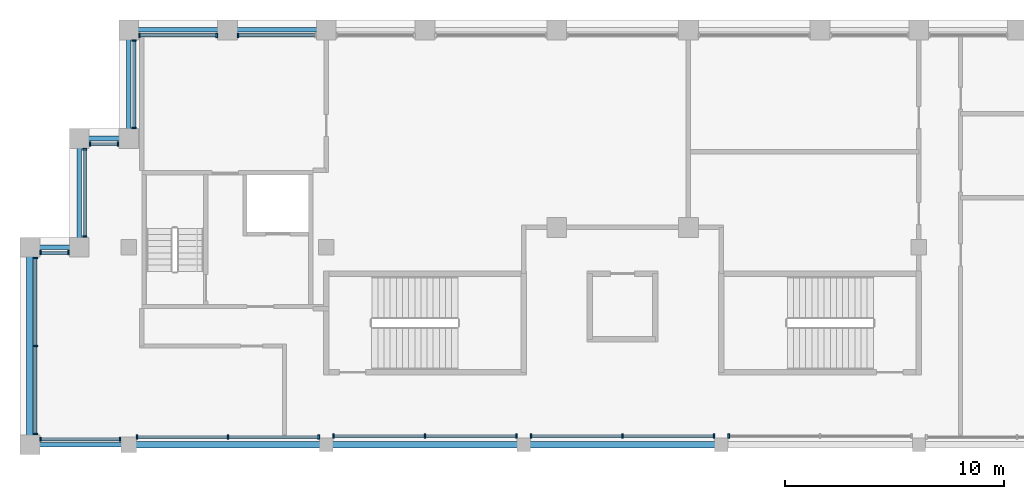
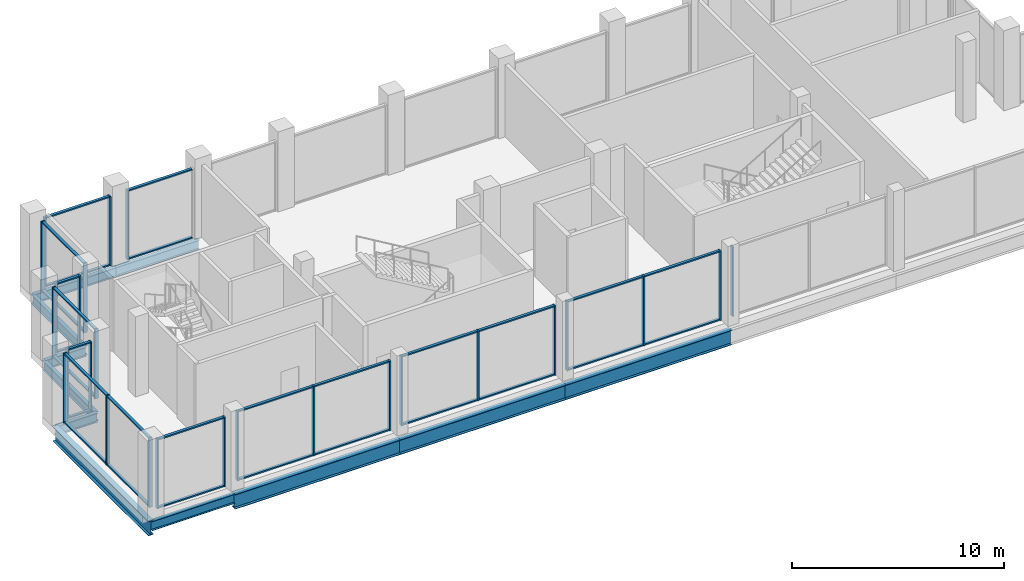
# One storey, part 2 of 8: 56 members, 11 beams, 12 elements without a shape of their own.
"""IFC4 building model written with IfcOpenShell, lengths in metres."""

from ifc_helpers import new_model, si_unit, direction, frame, origin, origin_2d, place, context, subcontext, project, spatial, rectangle, i_section, extrude, material, layer, layer_set, material_profile, profile_set, type_object, element, aggregate, save


model = new_model("IFC4")

# Units and contexts
model_context = context("Model", 3, precision=1e-05, world=origin(), true_north=direction((0.0, 1.0)))
body_context = subcontext(model_context, "Body", "Model", "MODEL_VIEW")
ifc_project = project(units=[si_unit("LENGTHUNIT", "METRE"), si_unit("AREAUNIT", "SQUARE_METRE"), si_unit("VOLUMEUNIT", "CUBIC_METRE"), si_unit("PLANEANGLEUNIT", "RADIAN"), si_unit("MASSUNIT", "GRAM", prefix="KILO")], contexts=[model_context])

# Site, building, storey
site_placement = place(None, origin())
site = spatial("IfcSite", under=ifc_project, at=site_placement, CompositionType="ELEMENT")
building_placement = place(site_placement, origin())
building = spatial("IfcBuilding", under=site, at=building_placement, Name="Corbelhall Arena Tower", CompositionType="ELEMENT")
storey_placement = place(building_placement, frame((0.0, 0.0, 381.0)))
storey = spatial("IfcBuildingStorey", under=building, at=storey_placement, Name="L82", CompositionType="ELEMENT", Elevation=381.0)

# Curtain wall, members
ifc_material_1 = material(Name="Aluminium black anodised", Category="aluminium")
ifc_layer = layer(ifc_material_1, 0.179931640625)
ifc_layer_set = layer_set([ifc_layer], Name="EV-CW3 Crown glazing")
curtain_wall_type = type_object("IfcCurtainWallType", Name="EV-CW3 Crown glazing", PredefinedType="NOTDEFINED", material=ifc_layer_set)
curtain_wall_1_placement = place(storey_placement, origin())
curtain_wall_1 = element("IfcCurtainWall", 1, at=curtain_wall_1_placement, inside=storey, type_object=curtain_wall_type, Name="Curtain wall CW3", PredefinedType="NOTDEFINED")
ifc_material_profile_1 = material_profile(ifc_material_1, rectangle(XDim=0.199951171875, YDim=0.074951171875, at=origin_2d()))
ifc_profile_set_1 = profile_set([ifc_material_profile_1], Name="Aluminium black anodised")
member_type_1 = type_object("IfcMemberType", Name="EV-CW3-MULLION", PredefinedType="MULLION", material=ifc_profile_set_1)
member_1_placement = place(storey_placement, frame((-24.5, 22.46240234375, 0.0), z_axis=(0.0, 0.0, 1.0), x_axis=(1.0, 0.0, 0.0)))
member_1 = element("IfcMember", 2, at=member_1_placement, type_object=member_type_1, Name="CW3 mullion 1", PredefinedType="MULLION", context=body_context, shape_type="SweptSolid", body=[
    extrude(rectangle(XDim=0.199951171875, YDim=0.074951171875, at=origin_2d()), origin(), (0.0, 0.0, 1.0), 3.99951171875),
])
member_2_placement = place(storey_placement, frame((-24.5, 18.487548828125, 0.0), z_axis=(0.0, 0.0, 1.0), x_axis=(1.0, 0.0, 0.0)))
member_2 = element("IfcMember", 3, at=member_2_placement, type_object=member_type_1, Name="CW3 mullion 2", PredefinedType="MULLION", context=body_context, shape_type="SweptSolid", body=[
    extrude(rectangle(XDim=0.199951171875, YDim=0.074951171875, at=origin_2d()), origin(), (0.0, 0.0, 1.0), 3.99951171875),
])

curtain_wall_2_placement = place(storey_placement, origin())
curtain_wall_2 = element("IfcCurtainWall", 4, at=curtain_wall_2_placement, inside=storey, type_object=curtain_wall_type, Name="Curtain wall CW3B", PredefinedType="NOTDEFINED")
member_3_placement = place(storey_placement, frame((-25.237548828125, 17.75, 0.0), z_axis=(0.0, 0.0, 1.0), x_axis=(0.0, -1.0, 0.0)))
member_3 = element("IfcMember", 5, at=member_3_placement, type_object=member_type_1, Name="CW3B mullion 1", PredefinedType="MULLION", context=body_context, shape_type="SweptSolid", body=[
    extrude(rectangle(XDim=0.199951171875, YDim=0.074951171875, at=origin_2d()), origin(), (0.0, 0.0, 1.0), 3.99951171875),
])
member_4_placement = place(storey_placement, frame((-26.512451171875, 17.75, 0.0), z_axis=(0.0, 0.0, 1.0), x_axis=(0.0, -1.0, 0.0)))
member_4 = element("IfcMember", 6, at=member_4_placement, type_object=member_type_1, Name="CW3B mullion 2", PredefinedType="MULLION", context=body_context, shape_type="SweptSolid", body=[
    extrude(rectangle(XDim=0.199951171875, YDim=0.074951171875, at=origin_2d()), origin(), (0.0, 0.0, 1.0), 3.99951171875),
])

curtain_wall_3_placement = place(storey_placement, origin())
curtain_wall_3 = element("IfcCurtainWall", 7, at=curtain_wall_3_placement, inside=storey, type_object=curtain_wall_type, Name="Curtain wall CW3", PredefinedType="NOTDEFINED")
member_5_placement = place(storey_placement, frame((-26.75, 17.512451171875, 0.0), z_axis=(0.0, 0.0, 1.0), x_axis=(1.0, 0.0, 0.0)))
member_5 = element("IfcMember", 8, at=member_5_placement, type_object=member_type_1, Name="CW3 mullion 1", PredefinedType="MULLION", context=body_context, shape_type="SweptSolid", body=[
    extrude(rectangle(XDim=0.199951171875, YDim=0.074951171875, at=origin_2d()), origin(), (0.0, 0.0, 1.0), 3.99951171875),
])
member_6_placement = place(storey_placement, frame((-26.75, 13.5, 0.0), z_axis=(0.0, 0.0, 1.0), x_axis=(1.0, 0.0, 0.0)))
member_6 = element("IfcMember", 9, at=member_6_placement, type_object=member_type_1, Name="CW3 mullion 2", PredefinedType="MULLION", context=body_context, shape_type="SweptSolid", body=[
    extrude(rectangle(XDim=0.199951171875, YDim=0.074951171875, at=origin_2d()), origin(), (0.0, 0.0, 1.0), 3.99951171875),
])
member_7_placement = place(storey_placement, frame((-26.75, 9.487548828125, 0.0), z_axis=(0.0, 0.0, 1.0), x_axis=(1.0, 0.0, 0.0)))
member_7 = element("IfcMember", 10, at=member_7_placement, type_object=member_type_1, Name="CW3 mullion 3", PredefinedType="MULLION", context=body_context, shape_type="SweptSolid", body=[
    extrude(rectangle(XDim=0.199951171875, YDim=0.074951171875, at=origin_2d()), origin(), (0.0, 0.0, 1.0), 3.99951171875),
])

curtain_wall_4_placement = place(storey_placement, origin())
curtain_wall_4 = element("IfcCurtainWall", 11, at=curtain_wall_4_placement, inside=storey, type_object=curtain_wall_type, Name="Curtain wall CW3E", PredefinedType="NOTDEFINED")
member_8_placement = place(storey_placement, frame((-26.512451171875, 9.25, 0.0), z_axis=(0.0, 0.0, 1.0), x_axis=(0.0, 1.0, 0.0)))
member_8 = element("IfcMember", 12, at=member_8_placement, type_object=member_type_1, Name="CW3E mullion 1", PredefinedType="MULLION", context=body_context, shape_type="SweptSolid", body=[
    extrude(rectangle(XDim=0.199951171875, YDim=0.074951171875, at=origin_2d()), origin(), (0.0, 0.0, 1.0), 3.99951171875),
])
member_9_placement = place(storey_placement, frame((-22.887451171875, 9.25, 0.0), z_axis=(0.0, 0.0, 1.0), x_axis=(0.0, 1.0, 0.0)))
member_9 = element("IfcMember", 13, at=member_9_placement, type_object=member_type_1, Name="CW3E mullion 2", PredefinedType="MULLION", context=body_context, shape_type="SweptSolid", body=[
    extrude(rectangle(XDim=0.199951171875, YDim=0.074951171875, at=origin_2d()), origin(), (0.0, 0.0, 1.0), 3.99951171875),
])

curtain_wall_5_placement = place(storey_placement, origin())
curtain_wall_5 = element("IfcCurtainWall", 14, at=curtain_wall_5_placement, inside=storey, type_object=curtain_wall_type, Name="Curtain wall CW3F", PredefinedType="NOTDEFINED")
member_10_placement = place(storey_placement, frame((-22.112548828125, 9.35009765625, 0.0), z_axis=(0.0, 0.0, 1.0), x_axis=(0.0, 1.0, 0.0)))
member_10 = element("IfcMember", 15, at=member_10_placement, type_object=member_type_1, Name="CW3F mullion 1", PredefinedType="MULLION", context=body_context, shape_type="SweptSolid", body=[
    extrude(rectangle(XDim=0.199951171875, YDim=0.074951171875, at=origin_2d()), origin(), (0.0, 0.0, 1.0), 3.99951171875),
])
member_11_placement = place(storey_placement, frame((-17.97509765625, 9.35009765625, 0.0), z_axis=(0.0, 0.0, 1.0), x_axis=(0.0, 1.0, 0.0)))
member_11 = element("IfcMember", 16, at=member_11_placement, type_object=member_type_1, Name="CW3F mullion 2", PredefinedType="MULLION", context=body_context, shape_type="SweptSolid", body=[
    extrude(rectangle(XDim=0.199951171875, YDim=0.074951171875, at=origin_2d()), origin(), (0.0, 0.0, 1.0), 3.99951171875),
])
member_12_placement = place(storey_placement, frame((-13.83740234375, 9.35009765625, 0.0), z_axis=(0.0, 0.0, 1.0), x_axis=(0.0, 1.0, 0.0)))
member_12 = element("IfcMember", 17, at=member_12_placement, type_object=member_type_1, Name="CW3F mullion 3", PredefinedType="MULLION", context=body_context, shape_type="SweptSolid", body=[
    extrude(rectangle(XDim=0.199951171875, YDim=0.074951171875, at=origin_2d()), origin(), (0.0, 0.0, 1.0), 3.99951171875),
])

curtain_wall_6_placement = place(storey_placement, origin())
curtain_wall_6 = element("IfcCurtainWall", 18, at=curtain_wall_6_placement, inside=storey, type_object=curtain_wall_type, Name="Curtain wall CW3D", PredefinedType="NOTDEFINED")
member_13_placement = place(storey_placement, frame((-13.16259765625, 9.39990234375, 0.0), z_axis=(0.0, 0.0, 1.0), x_axis=(0.0, 1.0, 0.0)))
member_13 = element("IfcMember", 19, at=member_13_placement, type_object=member_type_1, Name="CW3D mullion 1", PredefinedType="MULLION", context=body_context, shape_type="SweptSolid", body=[
    extrude(rectangle(XDim=0.199951171875, YDim=0.074951171875, at=origin_2d()), origin(), (0.0, 0.0, 1.0), 3.99951171875),
])
member_14_placement = place(storey_placement, frame((-9.0, 9.39990234375, 0.0), z_axis=(0.0, 0.0, 1.0), x_axis=(0.0, 1.0, 0.0)))
member_14 = element("IfcMember", 20, at=member_14_placement, type_object=member_type_1, Name="CW3D mullion 2", PredefinedType="MULLION", context=body_context, shape_type="SweptSolid", body=[
    extrude(rectangle(XDim=0.199951171875, YDim=0.074951171875, at=origin_2d()), origin(), (0.0, 0.0, 1.0), 3.99951171875),
])
member_15_placement = place(storey_placement, frame((-4.83740234375, 9.39990234375, 0.0), z_axis=(0.0, 0.0, 1.0), x_axis=(0.0, 1.0, 0.0)))
member_15 = element("IfcMember", 21, at=member_15_placement, type_object=member_type_1, Name="CW3D mullion 3", PredefinedType="MULLION", context=body_context, shape_type="SweptSolid", body=[
    extrude(rectangle(XDim=0.199951171875, YDim=0.074951171875, at=origin_2d()), origin(), (0.0, 0.0, 1.0), 3.99951171875),
])

curtain_wall_7_placement = place(storey_placement, origin())
curtain_wall_7 = element("IfcCurtainWall", 22, at=curtain_wall_7_placement, inside=storey, type_object=curtain_wall_type, Name="Curtain wall CW3D", PredefinedType="NOTDEFINED")
member_16_placement = place(storey_placement, frame((-4.16259765625, 9.39990234375, 0.0), z_axis=(0.0, 0.0, 1.0), x_axis=(0.0, 1.0, 0.0)))
member_16 = element("IfcMember", 23, at=member_16_placement, type_object=member_type_1, Name="CW3D mullion 1", PredefinedType="MULLION", context=body_context, shape_type="SweptSolid", body=[
    extrude(rectangle(XDim=0.199951171875, YDim=0.074951171875, at=origin_2d()), origin(), (0.0, 0.0, 1.0), 3.99951171875),
])
member_17_placement = place(storey_placement, frame((0.0, 9.39990234375, 0.0), z_axis=(0.0, 0.0, 1.0), x_axis=(0.0, 1.0, 0.0)))
member_17 = element("IfcMember", 24, at=member_17_placement, type_object=member_type_1, Name="CW3D mullion 2", PredefinedType="MULLION", context=body_context, shape_type="SweptSolid", body=[
    extrude(rectangle(XDim=0.199951171875, YDim=0.074951171875, at=origin_2d()), origin(), (0.0, 0.0, 1.0), 3.99951171875),
])
member_18_placement = place(storey_placement, frame((4.16259765625, 9.39990234375, 0.0), z_axis=(0.0, 0.0, 1.0), x_axis=(0.0, 1.0, 0.0)))
member_18 = element("IfcMember", 25, at=member_18_placement, type_object=member_type_1, Name="CW3D mullion 3", PredefinedType="MULLION", context=body_context, shape_type="SweptSolid", body=[
    extrude(rectangle(XDim=0.199951171875, YDim=0.074951171875, at=origin_2d()), origin(), (0.0, 0.0, 1.0), 3.99951171875),
])

# Curtain wall, member
curtain_wall_8_placement = place(storey_placement, origin())
curtain_wall_8 = element("IfcCurtainWall", 26, at=curtain_wall_8_placement, inside=storey, type_object=curtain_wall_type, Name="Curtain wall CW3D", PredefinedType="NOTDEFINED")
member_19_placement = place(storey_placement, frame((4.83740234375, 9.39990234375, 0.0), z_axis=(0.0, 0.0, 1.0), x_axis=(0.0, 1.0, 0.0)))
member_19 = element("IfcMember", 27, at=member_19_placement, type_object=member_type_1, Name="CW3D mullion 1", PredefinedType="MULLION", context=body_context, shape_type="SweptSolid", body=[
    extrude(rectangle(XDim=0.199951171875, YDim=0.074951171875, at=origin_2d()), origin(), (0.0, 0.0, 1.0), 3.99951171875),
])
aggregate(curtain_wall_8, [member_19])

curtain_wall_9_placement = place(storey_placement, origin())
curtain_wall_9 = element("IfcCurtainWall", 28, at=curtain_wall_9_placement, inside=storey, type_object=curtain_wall_type, Name="Curtain wall CW3A", PredefinedType="NOTDEFINED")
member_20_placement = place(storey_placement, frame((-17.512451171875, 27.64990234375, 0.0), z_axis=(0.0, 0.0, 1.0), x_axis=(0.0, -1.0, 0.0)))
member_20 = element("IfcMember", 29, at=member_20_placement, type_object=member_type_1, Name="CW3A mullion 2", PredefinedType="MULLION", context=body_context, shape_type="SweptSolid", body=[
    extrude(rectangle(XDim=0.199951171875, YDim=0.074951171875, at=origin_2d()), origin(), (0.0, 0.0, 1.0), 3.99951171875),
])

# Curtain wall, members
curtain_wall_10_placement = place(storey_placement, origin())
curtain_wall_10 = element("IfcCurtainWall", 30, at=curtain_wall_10_placement, inside=storey, type_object=curtain_wall_type, Name="Curtain wall CW3A", PredefinedType="NOTDEFINED")
member_21_placement = place(storey_placement, frame((-18.487548828125, 27.64990234375, 0.0), z_axis=(0.0, 0.0, 1.0), x_axis=(0.0, -1.0, 0.0)))
member_21 = element("IfcMember", 31, at=member_21_placement, type_object=member_type_1, Name="CW3A mullion 1", PredefinedType="MULLION", context=body_context, shape_type="SweptSolid", body=[
    extrude(rectangle(XDim=0.199951171875, YDim=0.074951171875, at=origin_2d()), origin(), (0.0, 0.0, 1.0), 3.99951171875),
])
member_22_placement = place(storey_placement, frame((-22.012451171875, 27.64990234375, 0.0), z_axis=(0.0, 0.0, 1.0), x_axis=(0.0, -1.0, 0.0)))
member_22 = element("IfcMember", 32, at=member_22_placement, type_object=member_type_1, Name="CW3A mullion 2", PredefinedType="MULLION", context=body_context, shape_type="SweptSolid", body=[
    extrude(rectangle(XDim=0.199951171875, YDim=0.074951171875, at=origin_2d()), origin(), (0.0, 0.0, 1.0), 3.99951171875),
])

curtain_wall_11_placement = place(storey_placement, origin())
curtain_wall_11 = element("IfcCurtainWall", 33, at=curtain_wall_11_placement, inside=storey, type_object=curtain_wall_type, Name="Curtain wall CW3", PredefinedType="NOTDEFINED")
member_23_placement = place(storey_placement, frame((-22.25, 27.41259765625, 0.0), z_axis=(0.0, 0.0, 1.0), x_axis=(1.0, 0.0, 0.0)))
member_23 = element("IfcMember", 34, at=member_23_placement, type_object=member_type_1, Name="CW3 mullion 1", PredefinedType="MULLION", context=body_context, shape_type="SweptSolid", body=[
    extrude(rectangle(XDim=0.199951171875, YDim=0.074951171875, at=origin_2d()), origin(), (0.0, 0.0, 1.0), 3.99951171875),
])
member_24_placement = place(storey_placement, frame((-22.25, 23.4375, 0.0), z_axis=(0.0, 0.0, 1.0), x_axis=(1.0, 0.0, 0.0)))
member_24 = element("IfcMember", 35, at=member_24_placement, type_object=member_type_1, Name="CW3 mullion 2", PredefinedType="MULLION", context=body_context, shape_type="SweptSolid", body=[
    extrude(rectangle(XDim=0.199951171875, YDim=0.074951171875, at=origin_2d()), origin(), (0.0, 0.0, 1.0), 3.99951171875),
])

curtain_wall_12_placement = place(storey_placement, origin())
curtain_wall_12 = element("IfcCurtainWall", 36, at=curtain_wall_12_placement, inside=storey, type_object=curtain_wall_type, Name="Curtain wall CW3B", PredefinedType="NOTDEFINED")
member_25_placement = place(storey_placement, frame((-22.987548828125, 22.699951171875, 0.0), z_axis=(0.0, 0.0, 1.0), x_axis=(0.0, -1.0, 0.0)))
member_25 = element("IfcMember", 37, at=member_25_placement, type_object=member_type_1, Name="CW3B mullion 1", PredefinedType="MULLION", context=body_context, shape_type="SweptSolid", body=[
    extrude(rectangle(XDim=0.199951171875, YDim=0.074951171875, at=origin_2d()), origin(), (0.0, 0.0, 1.0), 3.99951171875),
])
member_26_placement = place(storey_placement, frame((-24.262451171875, 22.699951171875, 0.0), z_axis=(0.0, 0.0, 1.0), x_axis=(0.0, -1.0, 0.0)))
member_26 = element("IfcMember", 38, at=member_26_placement, type_object=member_type_1, Name="CW3B mullion 2", PredefinedType="MULLION", context=body_context, shape_type="SweptSolid", body=[
    extrude(rectangle(XDim=0.199951171875, YDim=0.074951171875, at=origin_2d()), origin(), (0.0, 0.0, 1.0), 3.99951171875),
])

# Member
ifc_material_profile_2 = material_profile(ifc_material_1, rectangle(XDim=0.14990234375, YDim=0.074951171875, at=origin_2d()))
ifc_profile_set_2 = profile_set([ifc_material_profile_2], Name="Aluminium black anodised")
member_type_2 = type_object("IfcMemberType", Name="EV-CW3-TRANSOM", PredefinedType="USERDEFINED", material=ifc_profile_set_2)
member_27_placement = place(storey_placement, frame((-24.5, 22.425048828125, 0.03759765625), z_axis=(0.0, -1.0, 0.0), x_axis=(1.0, 0.0, 0.0)))
member_27 = element("IfcMember", 39, at=member_27_placement, type_object=member_type_2, Name="CW3 transom 1.1", ObjectType="transom", PredefinedType="USERDEFINED", context=body_context, shape_type="SweptSolid", body=[
    extrude(rectangle(XDim=0.14990234375, YDim=0.074951171875, at=origin_2d()), origin(), (0.0, 0.0, 1.0), 3.900146484375),
])

member_28_placement = place(storey_placement, frame((-24.5, 22.425048828125, 3.962158203125), z_axis=(0.0, -1.0, 0.0), x_axis=(1.0, 0.0, 0.0)))
member_28 = element("IfcMember", 40, at=member_28_placement, type_object=member_type_2, Name="CW3 transom 1.2", ObjectType="transom", PredefinedType="USERDEFINED", context=body_context, shape_type="SweptSolid", body=[
    extrude(rectangle(XDim=0.14990234375, YDim=0.074951171875, at=origin_2d()), origin(), (0.0, 0.0, 1.0), 3.900146484375),
])

aggregate(curtain_wall_1, [member_1, member_2, member_27, member_28])

member_29_placement = place(storey_placement, frame((-25.27490234375, 17.75, 0.03759765625), z_axis=(-1.0, 0.0, 0.0), x_axis=(0.0, -1.0, 0.0)))
member_29 = element("IfcMember", 41, at=member_29_placement, type_object=member_type_2, Name="CW3B transom 1.1", ObjectType="transom", PredefinedType="USERDEFINED", context=body_context, shape_type="SweptSolid", body=[
    extrude(rectangle(XDim=0.14990234375, YDim=0.074951171875, at=origin_2d()), origin(), (0.0, 0.0, 1.0), 1.2001953125),
])

member_30_placement = place(storey_placement, frame((-25.27490234375, 17.75, 3.962158203125), z_axis=(-1.0, 0.0, 0.0), x_axis=(0.0, -1.0, 0.0)))
member_30 = element("IfcMember", 42, at=member_30_placement, type_object=member_type_2, Name="CW3B transom 1.2", ObjectType="transom", PredefinedType="USERDEFINED", context=body_context, shape_type="SweptSolid", body=[
    extrude(rectangle(XDim=0.14990234375, YDim=0.074951171875, at=origin_2d()), origin(), (0.0, 0.0, 1.0), 1.2001953125),
])

aggregate(curtain_wall_2, [member_3, member_4, member_29, member_30])

member_31_placement = place(storey_placement, frame((-26.75, 17.47509765625, 0.03759765625), z_axis=(0.0, -1.0, 0.0), x_axis=(1.0, 0.0, 0.0)))
member_31 = element("IfcMember", 43, at=member_31_placement, type_object=member_type_2, Name="CW3 transom 1.1", ObjectType="transom", PredefinedType="USERDEFINED", context=body_context, shape_type="SweptSolid", body=[
    extrude(rectangle(XDim=0.14990234375, YDim=0.074951171875, at=origin_2d()), origin(), (0.0, 0.0, 1.0), 3.9375),
])

member_32_placement = place(storey_placement, frame((-26.75, 17.47509765625, 3.962158203125), z_axis=(0.0, -1.0, 0.0), x_axis=(1.0, 0.0, 0.0)))
member_32 = element("IfcMember", 44, at=member_32_placement, type_object=member_type_2, Name="CW3 transom 1.2", ObjectType="transom", PredefinedType="USERDEFINED", context=body_context, shape_type="SweptSolid", body=[
    extrude(rectangle(XDim=0.14990234375, YDim=0.074951171875, at=origin_2d()), origin(), (0.0, 0.0, 1.0), 3.9375),
])

member_33_placement = place(storey_placement, frame((-26.75, 13.46240234375, 0.03759765625), z_axis=(0.0, -1.0, 0.0), x_axis=(1.0, 0.0, 0.0)))
member_33 = element("IfcMember", 45, at=member_33_placement, type_object=member_type_2, Name="CW3 transom 2.1", ObjectType="transom", PredefinedType="USERDEFINED", context=body_context, shape_type="SweptSolid", body=[
    extrude(rectangle(XDim=0.14990234375, YDim=0.074951171875, at=origin_2d()), origin(), (0.0, 0.0, 1.0), 3.9375),
])

member_34_placement = place(storey_placement, frame((-26.75, 13.46240234375, 3.962158203125), z_axis=(0.0, -1.0, 0.0), x_axis=(1.0, 0.0, 0.0)))
member_34 = element("IfcMember", 46, at=member_34_placement, type_object=member_type_2, Name="CW3 transom 2.2", ObjectType="transom", PredefinedType="USERDEFINED", context=body_context, shape_type="SweptSolid", body=[
    extrude(rectangle(XDim=0.14990234375, YDim=0.074951171875, at=origin_2d()), origin(), (0.0, 0.0, 1.0), 3.9375),
])

aggregate(curtain_wall_3, [member_5, member_6, member_7, member_31, member_32, member_33, member_34])

member_35_placement = place(storey_placement, frame((-26.47509765625, 9.25, 0.03759765625), z_axis=(1.0, 0.0, 0.0), x_axis=(0.0, 1.0, 0.0)))
member_35 = element("IfcMember", 47, at=member_35_placement, type_object=member_type_2, Name="CW3E transom 1.1", ObjectType="transom", PredefinedType="USERDEFINED", context=body_context, shape_type="SweptSolid", body=[
    extrude(rectangle(XDim=0.14990234375, YDim=0.074951171875, at=origin_2d()), origin(), (0.0, 0.0, 1.0), 3.550048828125),
])

member_36_placement = place(storey_placement, frame((-26.47509765625, 9.25, 3.962158203125), z_axis=(1.0, 0.0, 0.0), x_axis=(0.0, 1.0, 0.0)))
member_36 = element("IfcMember", 48, at=member_36_placement, type_object=member_type_2, Name="CW3E transom 1.2", ObjectType="transom", PredefinedType="USERDEFINED", context=body_context, shape_type="SweptSolid", body=[
    extrude(rectangle(XDim=0.14990234375, YDim=0.074951171875, at=origin_2d()), origin(), (0.0, 0.0, 1.0), 3.550048828125),
])

aggregate(curtain_wall_4, [member_8, member_9, member_35, member_36])

member_37_placement = place(storey_placement, frame((-22.074951171875, 9.35009765625, 0.03759765625), z_axis=(1.0, 0.0, 0.0), x_axis=(0.0, 1.0, 0.0)))
member_37 = element("IfcMember", 49, at=member_37_placement, type_object=member_type_2, Name="CW3F transom 1.1", ObjectType="transom", PredefinedType="USERDEFINED", context=body_context, shape_type="SweptSolid", body=[
    extrude(rectangle(XDim=0.14990234375, YDim=0.074951171875, at=origin_2d()), origin(), (0.0, 0.0, 1.0), 4.0625),
])

member_38_placement = place(storey_placement, frame((-22.074951171875, 9.35009765625, 3.962158203125), z_axis=(1.0, 0.0, 0.0), x_axis=(0.0, 1.0, 0.0)))
member_38 = element("IfcMember", 50, at=member_38_placement, type_object=member_type_2, Name="CW3F transom 1.2", ObjectType="transom", PredefinedType="USERDEFINED", context=body_context, shape_type="SweptSolid", body=[
    extrude(rectangle(XDim=0.14990234375, YDim=0.074951171875, at=origin_2d()), origin(), (0.0, 0.0, 1.0), 4.0625),
])

member_39_placement = place(storey_placement, frame((-17.9375, 9.35009765625, 0.03759765625), z_axis=(1.0, 0.0, 0.0), x_axis=(0.0, 1.0, 0.0)))
member_39 = element("IfcMember", 51, at=member_39_placement, type_object=member_type_2, Name="CW3F transom 2.1", ObjectType="transom", PredefinedType="USERDEFINED", context=body_context, shape_type="SweptSolid", body=[
    extrude(rectangle(XDim=0.14990234375, YDim=0.074951171875, at=origin_2d()), origin(), (0.0, 0.0, 1.0), 4.0625),
])

member_40_placement = place(storey_placement, frame((-17.9375, 9.35009765625, 3.962158203125), z_axis=(1.0, 0.0, 0.0), x_axis=(0.0, 1.0, 0.0)))
member_40 = element("IfcMember", 52, at=member_40_placement, type_object=member_type_2, Name="CW3F transom 2.2", ObjectType="transom", PredefinedType="USERDEFINED", context=body_context, shape_type="SweptSolid", body=[
    extrude(rectangle(XDim=0.14990234375, YDim=0.074951171875, at=origin_2d()), origin(), (0.0, 0.0, 1.0), 4.0625),
])

aggregate(curtain_wall_5, [member_10, member_11, member_12, member_37, member_38, member_39, member_40])

member_41_placement = place(storey_placement, frame((-13.125, 9.39990234375, 0.03759765625), z_axis=(1.0, 0.0, 0.0), x_axis=(0.0, 1.0, 0.0)))
member_41 = element("IfcMember", 53, at=member_41_placement, type_object=member_type_2, Name="CW3D transom 1.1", ObjectType="transom", PredefinedType="USERDEFINED", context=body_context, shape_type="SweptSolid", body=[
    extrude(rectangle(XDim=0.14990234375, YDim=0.074951171875, at=origin_2d()), origin(), (0.0, 0.0, 1.0), 4.08740234375),
])

member_42_placement = place(storey_placement, frame((-13.125, 9.39990234375, 3.962158203125), z_axis=(1.0, 0.0, 0.0), x_axis=(0.0, 1.0, 0.0)))
member_42 = element("IfcMember", 54, at=member_42_placement, type_object=member_type_2, Name="CW3D transom 1.2", ObjectType="transom", PredefinedType="USERDEFINED", context=body_context, shape_type="SweptSolid", body=[
    extrude(rectangle(XDim=0.14990234375, YDim=0.074951171875, at=origin_2d()), origin(), (0.0, 0.0, 1.0), 4.08740234375),
])

member_43_placement = place(storey_placement, frame((-8.96240234375, 9.39990234375, 0.03759765625), z_axis=(1.0, 0.0, 0.0), x_axis=(0.0, 1.0, 0.0)))
member_43 = element("IfcMember", 55, at=member_43_placement, type_object=member_type_2, Name="CW3D transom 2.1", ObjectType="transom", PredefinedType="USERDEFINED", context=body_context, shape_type="SweptSolid", body=[
    extrude(rectangle(XDim=0.14990234375, YDim=0.074951171875, at=origin_2d()), origin(), (0.0, 0.0, 1.0), 4.08740234375),
])

member_44_placement = place(storey_placement, frame((-8.96240234375, 9.39990234375, 3.962158203125), z_axis=(1.0, 0.0, 0.0), x_axis=(0.0, 1.0, 0.0)))
member_44 = element("IfcMember", 56, at=member_44_placement, type_object=member_type_2, Name="CW3D transom 2.2", ObjectType="transom", PredefinedType="USERDEFINED", context=body_context, shape_type="SweptSolid", body=[
    extrude(rectangle(XDim=0.14990234375, YDim=0.074951171875, at=origin_2d()), origin(), (0.0, 0.0, 1.0), 4.08740234375),
])

aggregate(curtain_wall_6, [member_13, member_14, member_15, member_41, member_42, member_43, member_44])

member_45_placement = place(storey_placement, frame((-4.125, 9.39990234375, 0.03759765625), z_axis=(1.0, 0.0, 0.0), x_axis=(0.0, 1.0, 0.0)))
member_45 = element("IfcMember", 57, at=member_45_placement, type_object=member_type_2, Name="CW3D transom 1.1", ObjectType="transom", PredefinedType="USERDEFINED", context=body_context, shape_type="SweptSolid", body=[
    extrude(rectangle(XDim=0.14990234375, YDim=0.074951171875, at=origin_2d()), origin(), (0.0, 0.0, 1.0), 4.08740234375),
])

member_46_placement = place(storey_placement, frame((-4.125, 9.39990234375, 3.962158203125), z_axis=(1.0, 0.0, 0.0), x_axis=(0.0, 1.0, 0.0)))
member_46 = element("IfcMember", 58, at=member_46_placement, type_object=member_type_2, Name="CW3D transom 1.2", ObjectType="transom", PredefinedType="USERDEFINED", context=body_context, shape_type="SweptSolid", body=[
    extrude(rectangle(XDim=0.14990234375, YDim=0.074951171875, at=origin_2d()), origin(), (0.0, 0.0, 1.0), 4.08740234375),
])

member_47_placement = place(storey_placement, frame((0.03759765625, 9.39990234375, 0.03759765625), z_axis=(1.0, 0.0, 0.0), x_axis=(0.0, 1.0, 0.0)))
member_47 = element("IfcMember", 59, at=member_47_placement, type_object=member_type_2, Name="CW3D transom 2.1", ObjectType="transom", PredefinedType="USERDEFINED", context=body_context, shape_type="SweptSolid", body=[
    extrude(rectangle(XDim=0.14990234375, YDim=0.074951171875, at=origin_2d()), origin(), (0.0, 0.0, 1.0), 4.08740234375),
])

member_48_placement = place(storey_placement, frame((0.03759765625, 9.39990234375, 3.962158203125), z_axis=(1.0, 0.0, 0.0), x_axis=(0.0, 1.0, 0.0)))
member_48 = element("IfcMember", 60, at=member_48_placement, type_object=member_type_2, Name="CW3D transom 2.2", ObjectType="transom", PredefinedType="USERDEFINED", context=body_context, shape_type="SweptSolid", body=[
    extrude(rectangle(XDim=0.14990234375, YDim=0.074951171875, at=origin_2d()), origin(), (0.0, 0.0, 1.0), 4.08740234375),
])

aggregate(curtain_wall_7, [member_16, member_17, member_18, member_45, member_46, member_47, member_48])

member_49_placement = place(storey_placement, frame((-14.02490234375, 27.64990234375, 0.03759765625), z_axis=(-1.0, 0.0, 0.0), x_axis=(0.0, -1.0, 0.0)))
member_49 = element("IfcMember", 61, at=member_49_placement, type_object=member_type_2, Name="CW3A transom 1.1", ObjectType="transom", PredefinedType="USERDEFINED", context=body_context, shape_type="SweptSolid", body=[
    extrude(rectangle(XDim=0.14990234375, YDim=0.074951171875, at=origin_2d()), origin(), (0.0, 0.0, 1.0), 3.4501953125),
])

member_50_placement = place(storey_placement, frame((-14.02490234375, 27.64990234375, 3.962158203125), z_axis=(-1.0, 0.0, 0.0), x_axis=(0.0, -1.0, 0.0)))
member_50 = element("IfcMember", 62, at=member_50_placement, type_object=member_type_2, Name="CW3A transom 1.2", ObjectType="transom", PredefinedType="USERDEFINED", context=body_context, shape_type="SweptSolid", body=[
    extrude(rectangle(XDim=0.14990234375, YDim=0.074951171875, at=origin_2d()), origin(), (0.0, 0.0, 1.0), 3.4501953125),
])

aggregate(curtain_wall_9, [member_20, member_49, member_50])

member_51_placement = place(storey_placement, frame((-18.52490234375, 27.64990234375, 0.03759765625), z_axis=(-1.0, 0.0, 0.0), x_axis=(0.0, -1.0, 0.0)))
member_51 = element("IfcMember", 63, at=member_51_placement, type_object=member_type_2, Name="CW3A transom 1.1", ObjectType="transom", PredefinedType="USERDEFINED", context=body_context, shape_type="SweptSolid", body=[
    extrude(rectangle(XDim=0.14990234375, YDim=0.074951171875, at=origin_2d()), origin(), (0.0, 0.0, 1.0), 3.4501953125),
])

member_52_placement = place(storey_placement, frame((-18.52490234375, 27.64990234375, 3.962158203125), z_axis=(-1.0, 0.0, 0.0), x_axis=(0.0, -1.0, 0.0)))
member_52 = element("IfcMember", 64, at=member_52_placement, type_object=member_type_2, Name="CW3A transom 1.2", ObjectType="transom", PredefinedType="USERDEFINED", context=body_context, shape_type="SweptSolid", body=[
    extrude(rectangle(XDim=0.14990234375, YDim=0.074951171875, at=origin_2d()), origin(), (0.0, 0.0, 1.0), 3.4501953125),
])

aggregate(curtain_wall_10, [member_21, member_22, member_51, member_52])

member_53_placement = place(storey_placement, frame((-22.25, 27.375, 0.03759765625), z_axis=(0.0, -1.0, 0.0), x_axis=(1.0, 0.0, 0.0)))
member_53 = element("IfcMember", 65, at=member_53_placement, type_object=member_type_2, Name="CW3 transom 1.1", ObjectType="transom", PredefinedType="USERDEFINED", context=body_context, shape_type="SweptSolid", body=[
    extrude(rectangle(XDim=0.14990234375, YDim=0.074951171875, at=origin_2d()), origin(), (0.0, 0.0, 1.0), 3.89990234375),
])

member_54_placement = place(storey_placement, frame((-22.25, 27.375, 3.962158203125), z_axis=(0.0, -1.0, 0.0), x_axis=(1.0, 0.0, 0.0)))
member_54 = element("IfcMember", 66, at=member_54_placement, type_object=member_type_2, Name="CW3 transom 1.2", ObjectType="transom", PredefinedType="USERDEFINED", context=body_context, shape_type="SweptSolid", body=[
    extrude(rectangle(XDim=0.14990234375, YDim=0.074951171875, at=origin_2d()), origin(), (0.0, 0.0, 1.0), 3.89990234375),
])

aggregate(curtain_wall_11, [member_23, member_24, member_53, member_54])

member_55_placement = place(storey_placement, frame((-23.02490234375, 22.699951171875, 0.03759765625), z_axis=(-1.0, 0.0, 0.0), x_axis=(0.0, -1.0, 0.0)))
member_55 = element("IfcMember", 67, at=member_55_placement, type_object=member_type_2, Name="CW3B transom 1.1", ObjectType="transom", PredefinedType="USERDEFINED", context=body_context, shape_type="SweptSolid", body=[
    extrude(rectangle(XDim=0.14990234375, YDim=0.074951171875, at=origin_2d()), origin(), (0.0, 0.0, 1.0), 1.2001953125),
])

member_56_placement = place(storey_placement, frame((-23.02490234375, 22.699951171875, 3.962158203125), z_axis=(-1.0, 0.0, 0.0), x_axis=(0.0, -1.0, 0.0)))
member_56 = element("IfcMember", 68, at=member_56_placement, type_object=member_type_2, Name="CW3B transom 1.2", ObjectType="transom", PredefinedType="USERDEFINED", context=body_context, shape_type="SweptSolid", body=[
    extrude(rectangle(XDim=0.14990234375, YDim=0.074951171875, at=origin_2d()), origin(), (0.0, 0.0, 1.0), 1.2001953125),
])

aggregate(curtain_wall_12, [member_25, member_26, member_55, member_56])

# Beams
ifc_material_2 = material(Name="Steel ASTM A992 Gr50", Category="steel")
ifc_material_profile_3 = material_profile(ifc_material_2, i_section(OverallWidth=0.2099609375, OverallDepth=0.535888671875, WebThickness=0.010986328125, FlangeThickness=0.017333984375, at=origin_2d()))
ifc_profile_set_3 = profile_set([ifc_material_profile_3], Name="Steel ASTM A992 Gr50")
beam_type_1 = type_object("IfcBeamType", Name="ST-SPANDREL-W21x68", PredefinedType="SPANDREL", material=ifc_profile_set_3)
for number, where, z_axis, x_axis, name in (
    (69, (-22.5, 9.0, -0.66845703125), (-1.0, 0.0, 0.0), (0.0, -1.0, 0.0), "Beam SP 2"),
    (70, (-18.0, 27.89990234375, -0.66845703125), (1.0, 0.0, 0.0), (0.0, 1.0, 0.0), "Beam SP 17"),
    (71, (-22.5, 27.89990234375, -0.66845703125), (1.0, 0.0, 0.0), (0.0, 1.0, 0.0), "Beam SP 18"),
):
    element("IfcBeam", number, at=place(storey_placement, frame(where, z_axis=z_axis, x_axis=x_axis)), inside=storey, type_object=beam_type_1, Name=name, PredefinedType="SPANDREL", context=body_context, shape_type="SweptSolid", body=[
        extrude(i_section(OverallWidth=0.2099609375, OverallDepth=0.535888671875, WebThickness=0.010986328125, FlangeThickness=0.017333984375, at=origin_2d()), origin(), (0.0, 0.0, 1.0), 4.5),
    ])
beam_1_placement = place(storey_placement, frame((-27.0, 18.0, -0.66845703125), z_axis=(1.0, 0.0, 0.0), x_axis=(0.0, 1.0, 0.0)))
element("IfcBeam", 72, at=beam_1_placement, inside=storey, type_object=beam_type_1, Name="Beam SP 20", PredefinedType="SPANDREL", context=body_context, shape_type="SweptSolid", body=[
    extrude(i_section(OverallWidth=0.2099609375, OverallDepth=0.535888671875, WebThickness=0.010986328125, FlangeThickness=0.017333984375, at=origin_2d()), origin(), (0.0, 0.0, 1.0), 2.25),
])
beam_2_placement = place(storey_placement, frame((-22.5, 22.949951171875, -0.66845703125), z_axis=(0.0, 1.0, 0.0), x_axis=(-1.0, 0.0, 0.0)))
element("IfcBeam", 73, at=beam_2_placement, inside=storey, type_object=beam_type_1, Name="Beam SP 24", PredefinedType="SPANDREL", context=body_context, shape_type="SweptSolid", body=[
    extrude(i_section(OverallWidth=0.2099609375, OverallDepth=0.535888671875, WebThickness=0.010986328125, FlangeThickness=0.017333984375, at=origin_2d()), origin(), (0.0, 0.0, 1.0), 4.949951171875),
])
beam_3_placement = place(storey_placement, frame((-24.75, 22.949951171875, -0.66845703125), z_axis=(1.0, 0.0, 0.0), x_axis=(0.0, 1.0, 0.0)))
element("IfcBeam", 74, at=beam_3_placement, inside=storey, type_object=beam_type_1, Name="Beam SP 25", PredefinedType="SPANDREL", context=body_context, shape_type="SweptSolid", body=[
    extrude(i_section(OverallWidth=0.2099609375, OverallDepth=0.535888671875, WebThickness=0.010986328125, FlangeThickness=0.017333984375, at=origin_2d()), origin(), (0.0, 0.0, 1.0), 2.25),
])
beam_4_placement = place(storey_placement, frame((-24.75, 18.0, -0.66845703125), z_axis=(0.0, 1.0, 0.0), x_axis=(-1.0, 0.0, 0.0)))
element("IfcBeam", 75, at=beam_4_placement, inside=storey, type_object=beam_type_1, Name="Beam SP 26", PredefinedType="SPANDREL", context=body_context, shape_type="SweptSolid", body=[
    extrude(i_section(OverallWidth=0.2099609375, OverallDepth=0.535888671875, WebThickness=0.010986328125, FlangeThickness=0.017333984375, at=origin_2d()), origin(), (0.0, 0.0, 1.0), 4.949951171875),
])
ifc_material_profile_4 = material_profile(ifc_material_2, i_section(OverallWidth=0.2919921875, OverallDepth=0.845703125, WebThickness=0.015380859375, FlangeThickness=0.0244140625, at=origin_2d()))
ifc_profile_set_4 = profile_set([ifc_material_profile_4], Name="Steel ASTM A992 Gr50")
beam_type_2 = type_object("IfcBeamType", Name="ST-SPANDREL-W33x141", PredefinedType="SPANDREL", material=ifc_profile_set_4)
for number, where, z_axis, x_axis, name in (
    (76, (4.5, 9.0, -0.8232421875), (-1.0, 0.0, 0.0), (0.0, -1.0, 0.0), "Beam SP 3"),
    (77, (-4.5, 9.0, -0.8232421875), (-1.0, 0.0, 0.0), (0.0, -1.0, 0.0), "Beam SP 5"),
    (78, (-13.5, 9.0, -0.8232421875), (-1.0, 0.0, 0.0), (0.0, -1.0, 0.0), "Beam SP 6"),
    (79, (-27.0, 9.0, -0.8232421875), (0.0, 1.0, 0.0), (-1.0, 0.0, 0.0), "Beam SP 19"),
):
    element("IfcBeam", number, at=place(storey_placement, frame(where, z_axis=z_axis, x_axis=x_axis)), inside=storey, type_object=beam_type_2, Name=name, PredefinedType="SPANDREL", context=body_context, shape_type="SweptSolid", body=[
        extrude(i_section(OverallWidth=0.2919921875, OverallDepth=0.845703125, WebThickness=0.015380859375, FlangeThickness=0.0244140625, at=origin_2d()), origin(), (0.0, 0.0, 1.0), 9.0),
    ])

save(model, "model.ifc")
